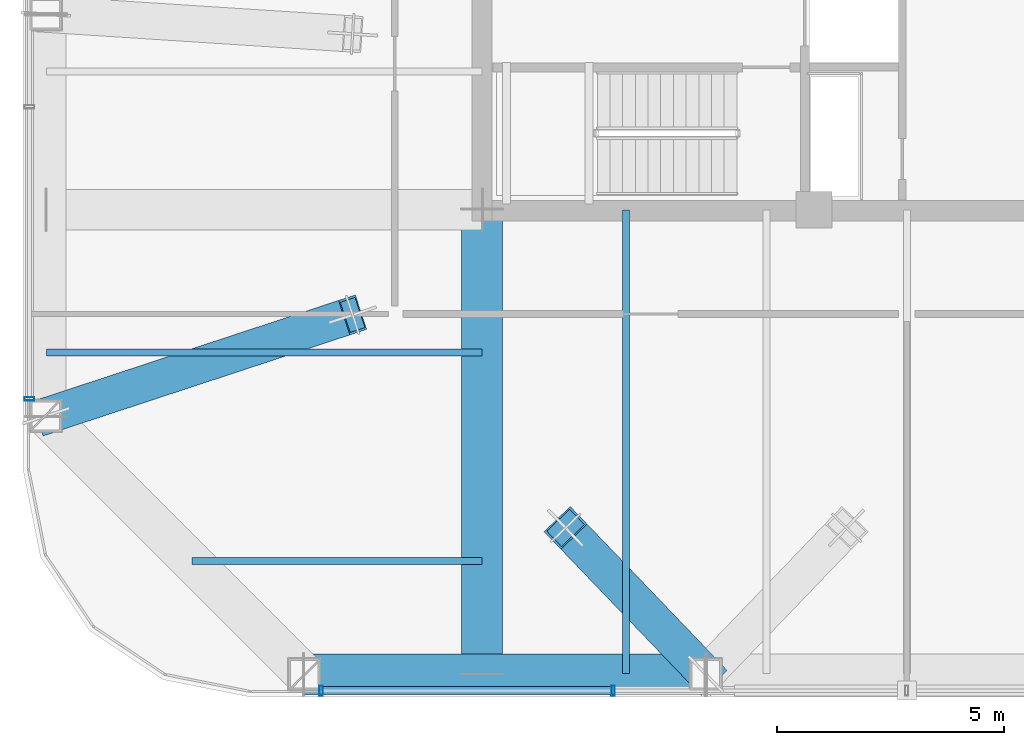
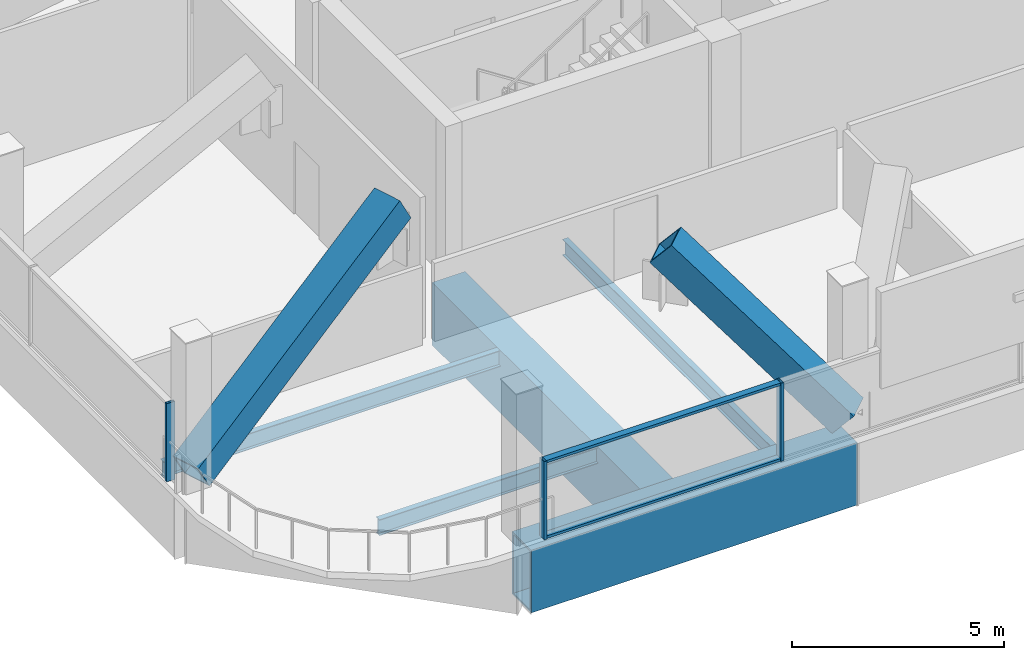
# One storey, part 2 of 19: 7 members, 5 beams, 2 elements without a shape of their own.
"""IFC4 building model written with IfcOpenShell, lengths in metres."""

from ifc_helpers import new_model, si_unit, direction, frame, origin, origin_2d, place, context, subcontext, project, spatial, hollow_rectangle, i_section, extrude, material, layer, layer_set, material_profile, profile_set, type_object, element, aggregate, save


model = new_model("IFC4")

# Units and contexts
model_context = context("Model", 3, precision=1e-05, world=origin(), true_north=direction((0.0, 1.0)))
body_context = subcontext(model_context, "Body", "Model", "MODEL_VIEW")
ifc_project = project(units=[si_unit("LENGTHUNIT", "METRE"), si_unit("AREAUNIT", "SQUARE_METRE"), si_unit("VOLUMEUNIT", "CUBIC_METRE"), si_unit("PLANEANGLEUNIT", "RADIAN"), si_unit("MASSUNIT", "GRAM", prefix="KILO")], contexts=[model_context])

# Site, building, storey
site_placement = place(None, origin())
site = spatial("IfcSite", under=ifc_project, at=site_placement, CompositionType="ELEMENT")
building_placement = place(site_placement, origin())
building = spatial("IfcBuilding", under=site, at=building_placement, Name="Qhalaya Broadcast Tower", CompositionType="ELEMENT")
storey_placement = place(building_placement, frame((0.0, 0.0, 226.949951171875)))
storey = spatial("IfcBuildingStorey", under=building, at=storey_placement, Name="L67", CompositionType="ELEMENT", Elevation=226.949951171875)

# Beams
ifc_material_1 = material(Name="Structural Steel ASTM A572 Grade 50", Category="steel")
ifc_material_profile_1 = material_profile(ifc_material_1, hollow_rectangle(XDim=0.89990234375, YDim=1.800048828125, WallThickness=0.06005859375, at=origin_2d()), Name="BOX 900x1800x60")
ifc_profile_set_1 = profile_set([ifc_material_profile_1], Name="Structural Steel ASTM A572 Grade 50")
beam_type_1 = type_object("IfcBeamType", Name="Block Cantilever Transfer Box Girder TG1", PredefinedType="USERDEFINED", material=ifc_profile_set_1)
beam_1_placement = place(storey_placement, frame((-13.300048828125, -19.0, -1.08984375), z_axis=(1.0, 0.0, 0.0), x_axis=(0.0, 1.0, 0.0)))
element("IfcBeam", 1, at=beam_1_placement, inside=storey, type_object=beam_type_1, Name="L67 TG1 L67-SPR-01", ObjectType="GIRDER", PredefinedType="USERDEFINED", context=body_context, shape_type="SweptSolid", body=[
    extrude(hollow_rectangle(XDim=0.89990234375, YDim=1.800048828125, WallThickness=0.06005859375, at=origin_2d()), origin(), (0.0, 0.0, 1.0), 8.86669921875),
])
beam_2_placement = place(storey_placement, frame((-9.375, -18.97998046875, -1.08984375), z_axis=(0.0, 1.0, 0.0), x_axis=(-1.0, 0.0, 0.0)))
element("IfcBeam", 2, at=beam_2_placement, inside=storey, type_object=beam_type_1, Name="L67 TG1 L67-PGXS1-1", ObjectType="GIRDER", PredefinedType="USERDEFINED", context=body_context, shape_type="SweptSolid", body=[
    extrude(hollow_rectangle(XDim=0.89990234375, YDim=1.800048828125, WallThickness=0.06005859375, at=origin_2d()), origin(), (0.0, 0.0, 1.0), 10.22998046875),
])
ifc_material_2 = material(Name="Structural Steel ASTM A992 Grade 50", Category="steel")
ifc_material_profile_2 = material_profile(ifc_material_2, i_section(OverallWidth=0.154052734375, OverallDepth=0.458984375, WebThickness=0.009033203125, FlangeThickness=0.015380859375, at=origin_2d()), Name="W18X46")
ifc_profile_set_2 = profile_set([ifc_material_profile_2], Name="Structural Steel ASTM A992 Grade 50")
beam_type_2 = type_object("IfcBeamType", Name="Composite Floor Joist J04", PredefinedType="JOIST", material=ifc_profile_set_2)
beam_3_placement = place(storey_placement, frame((-6.199951171875, -18.97998046875, -0.41943359375), z_axis=(0.0, 1.0, 0.0), x_axis=(-1.0, 0.0, 0.0)))
element("IfcBeam", 3, at=beam_3_placement, inside=storey, type_object=beam_type_2, Name="L67 J04 L67-JNS1-1", PredefinedType="JOIST", context=body_context, shape_type="SweptSolid", body=[
    extrude(i_section(OverallWidth=0.154052734375, OverallDepth=0.458984375, WebThickness=0.009033203125, FlangeThickness=0.015380859375, at=origin_2d()), origin(), (0.0, 0.0, 1.0), 10.22998046875),
])
beam_4_placement = place(storey_placement, frame((-15.771728515625, -16.5, -0.41943359375), z_axis=(1.0, 0.0, 0.0), x_axis=(0.0, 1.0, 0.0)))
element("IfcBeam", 4, at=beam_4_placement, inside=storey, type_object=beam_type_2, Name="L67 J04 L67-JWE1W-1", PredefinedType="JOIST", context=body_context, shape_type="SweptSolid", body=[
    extrude(i_section(OverallWidth=0.154052734375, OverallDepth=0.458984375, WebThickness=0.009033203125, FlangeThickness=0.015380859375, at=origin_2d()), origin(), (0.0, 0.0, 1.0), 6.396728515625),
])
beam_5_placement = place(storey_placement, frame((-18.97998046875, -11.89990234375, -0.41943359375), z_axis=(1.0, 0.0, 0.0), x_axis=(0.0, 1.0, 0.0)))
element("IfcBeam", 5, at=beam_5_placement, inside=storey, type_object=beam_type_2, Name="L67 J04 L67-JWE2W-1", PredefinedType="JOIST", context=body_context, shape_type="SweptSolid", body=[
    extrude(i_section(OverallWidth=0.154052734375, OverallDepth=0.458984375, WebThickness=0.009033203125, FlangeThickness=0.015380859375, at=origin_2d()), origin(), (0.0, 0.0, 1.0), 9.60498046875),
])

# Curtain wall, members
ifc_material_3 = material(Name="Fired Architectural Terracotta", Category="masonry")
ifc_layer = layer(ifc_material_3, 0.219970703125, Name="Fired Architectural Terracotta")
ifc_layer_set = layer_set([ifc_layer], Name="Fired Architectural Terracotta")
curtain_wall_type = type_object("IfcCurtainWallType", Name="Block-Cap Unitised Terracotta Spandrel Wall CW-07", PredefinedType="NOTDEFINED", material=ifc_layer_set)
curtain_wall_1_placement = place(storey_placement, origin())
curtain_wall_1 = element("IfcCurtainWall", 6, at=curtain_wall_1_placement, inside=storey, type_object=curtain_wall_type, Name="L67 Unitised Curtain Wall L67-CW-S", PredefinedType="NOTDEFINED")
ifc_material_4 = material(Name="Anodised Aluminium 6063-T6", Category="aluminium")
ifc_material_profile_3 = material_profile(ifc_material_4, hollow_rectangle(XDim=0.074951171875, YDim=0.219970703125, WallThickness=0.00390625, at=origin_2d()), Name="ALU-MUL 75x220x4")
ifc_profile_set_3 = profile_set([ifc_material_profile_3], Name="Anodised Aluminium 6063-T6")
member_type_1 = type_object("IfcMemberType", Name="Unitised Curtain-Wall Mullion M01", PredefinedType="MULLION", material=ifc_profile_set_3)
member_1_placement = place(storey_placement, frame((-6.48095703125, -19.360107421875, 0.0), z_axis=(0.0, 0.0, 1.0), x_axis=(-1.0, 0.0, 0.0)))
member_1 = element("IfcMember", 7, at=member_1_placement, type_object=member_type_1, Name="CW-07 mullion 4", PredefinedType="MULLION", context=body_context, shape_type="SweptSolid", body=[
    extrude(hollow_rectangle(XDim=0.074951171875, YDim=0.219970703125, WallThickness=0.00390625, at=origin_2d()), origin(), (0.0, 0.0, 1.0), 2.25),
])
member_2_placement = place(storey_placement, frame((-12.924560546875, -19.360107421875, 0.0), z_axis=(0.0, 0.0, 1.0), x_axis=(-1.0, 0.0, 0.0)))
member_2 = element("IfcMember", 8, at=member_2_placement, type_object=member_type_1, Name="CW-07 mullion 5", PredefinedType="MULLION", context=body_context, shape_type="SweptSolid", body=[
    extrude(hollow_rectangle(XDim=0.074951171875, YDim=0.219970703125, WallThickness=0.00390625, at=origin_2d()), origin(), (0.0, 0.0, 1.0), 2.25),
])

# Curtain wall, member
curtain_wall_2_placement = place(storey_placement, origin())
curtain_wall_2 = element("IfcCurtainWall", 9, at=curtain_wall_2_placement, inside=storey, type_object=curtain_wall_type, Name="L67 Unitised Curtain Wall L67-CW-W", PredefinedType="NOTDEFINED")
member_3_placement = place(storey_placement, frame((-19.360107421875, -12.924560546875, 0.0), z_axis=(0.0, 0.0, 1.0), x_axis=(0.0, 1.0, 0.0)))
member_3 = element("IfcMember", 10, at=member_3_placement, type_object=member_type_1, Name="CW-07 mullion 1", PredefinedType="MULLION", context=body_context, shape_type="SweptSolid", body=[
    extrude(hollow_rectangle(XDim=0.074951171875, YDim=0.219970703125, WallThickness=0.00390625, at=origin_2d()), origin(), (0.0, 0.0, 1.0), 2.25),
])
aggregate(curtain_wall_2, [member_3])

# Member
ifc_material_profile_4 = material_profile(ifc_material_4, hollow_rectangle(XDim=0.074951171875, YDim=0.179931640625, WallThickness=0.00390625, at=origin_2d()), Name="ALU-TRN 75x180x4")
ifc_profile_set_4 = profile_set([ifc_material_profile_4], Name="Anodised Aluminium 6063-T6")
member_type_2 = type_object("IfcMemberType", Name="Unitised Curtain-Wall Transom T01", PredefinedType="USERDEFINED", material=ifc_profile_set_4)
member_4_placement = place(storey_placement, frame((-6.5185546875, -19.360107421875, 0.03759765625), z_axis=(-1.0, 0.0, 0.0), x_axis=(0.0, 0.0, 1.0)))
member_4 = element("IfcMember", 11, at=member_4_placement, type_object=member_type_2, Name="CW-07 transom 4.1", ObjectType="TRANSOM", PredefinedType="USERDEFINED", context=body_context, shape_type="SweptSolid", body=[
    extrude(hollow_rectangle(XDim=0.074951171875, YDim=0.179931640625, WallThickness=0.00390625, at=origin_2d()), origin(), (0.0, 0.0, 1.0), 6.368408203125),
])

member_5_placement = place(storey_placement, frame((-6.5185546875, -19.360107421875, 2.212646484375), z_axis=(-1.0, 0.0, 0.0), x_axis=(0.0, 0.0, 1.0)))
member_5 = element("IfcMember", 12, at=member_5_placement, type_object=member_type_2, Name="CW-07 transom 4.2", ObjectType="TRANSOM", PredefinedType="USERDEFINED", context=body_context, shape_type="SweptSolid", body=[
    extrude(hollow_rectangle(XDim=0.074951171875, YDim=0.179931640625, WallThickness=0.00390625, at=origin_2d()), origin(), (0.0, 0.0, 1.0), 6.368408203125),
])

aggregate(curtain_wall_1, [member_1, member_2, member_4, member_5])

# Members
ifc_material_profile_5 = material_profile(ifc_material_1, hollow_rectangle(XDim=0.800048828125, YDim=0.800048828125, WallThickness=0.050048828125, at=origin_2d()), Name="BOX 800x800x50")
ifc_profile_set_5 = profile_set([ifc_material_profile_5], Name="Structural Steel ASTM A572 Grade 50")
member_type_3 = type_object("IfcMemberType", Name="Upper Exoskeleton Transfer Strut RK2", PredefinedType="BRACE", material=ifc_profile_set_5)
member_6_placement = place(storey_placement, frame((-4.433349609375, -19.0, 0.306884765625), z_axis=(-0.513482931202, 0.535586501089, 0.670434470486), x_axis=(-0.721845096056, -0.69205466352, 0.0)))
element("IfcMember", 13, at=member_6_placement, inside=storey, type_object=member_type_3, Name="L67 Inclined Exoskeleton Transfer Strut 01", PredefinedType="BRACE", context=body_context, shape_type="SweptSolid", body=[
    extrude(hollow_rectangle(XDim=0.800048828125, YDim=0.800048828125, WallThickness=0.050048828125, at=origin_2d()), origin(), (0.0, 0.0, 1.0), 6.03076171875),
])
member_7_placement = place(storey_placement, frame((-19.0, -13.300048828125, 0.359130859375), z_axis=(0.828737547161, 0.272978317915, 0.488545715234), x_axis=(-0.312855399087, 0.949800768194, 0.0)))
element("IfcMember", 14, at=member_7_placement, inside=storey, type_object=member_type_3, Name="L67 Inclined Exoskeleton Transfer Strut 16", PredefinedType="BRACE", context=body_context, shape_type="SweptSolid", body=[
    extrude(hollow_rectangle(XDim=0.800048828125, YDim=0.800048828125, WallThickness=0.050048828125, at=origin_2d()), origin(), (0.0, 0.0, 1.0), 8.169189453125),
])

save(model, "model.ifc")
